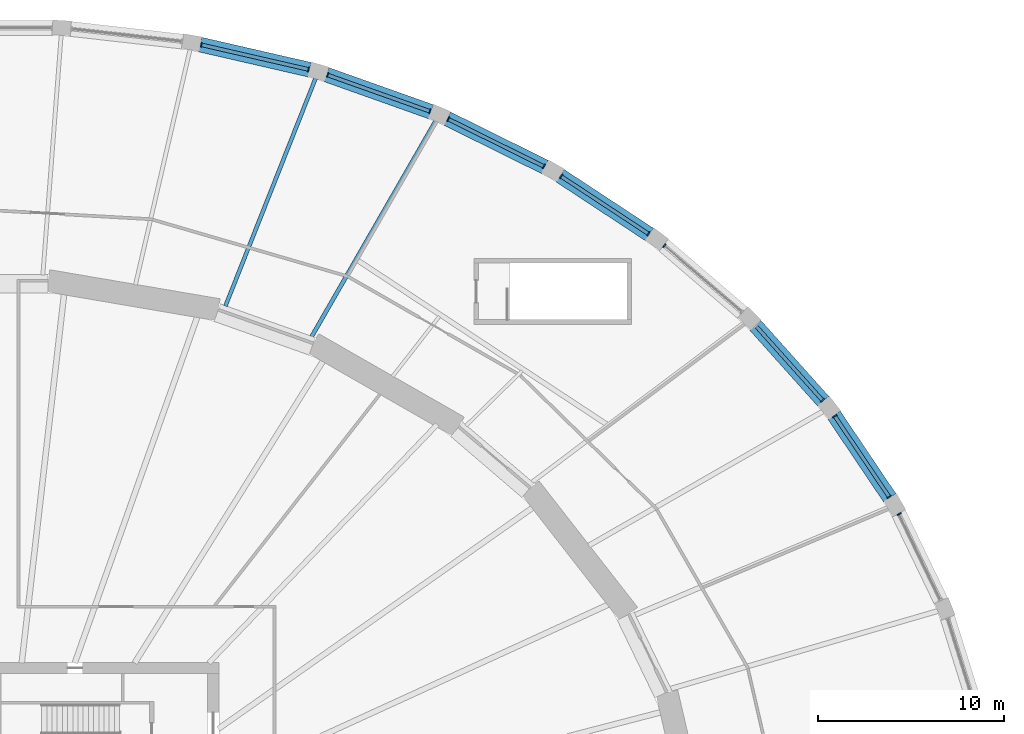
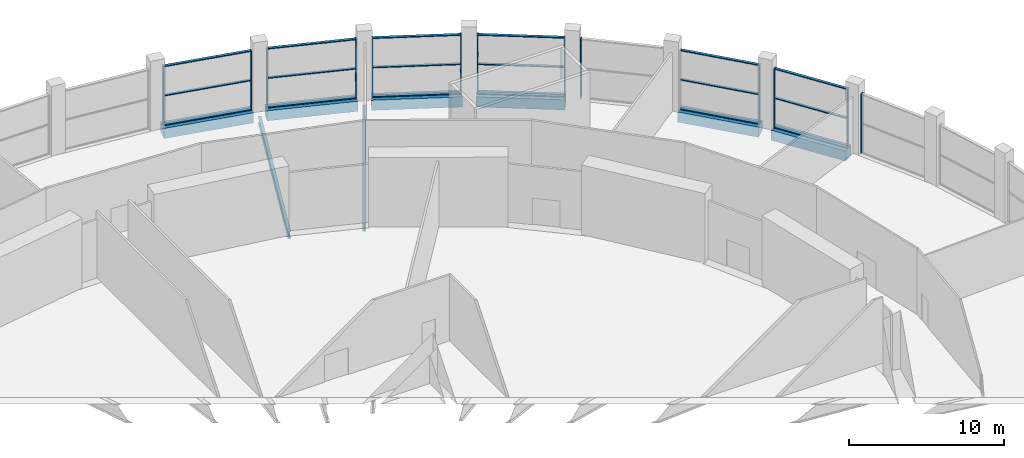
# One storey, part 16 of 26: 31 members, 8 beams, 8 elements without a shape of their own.
"""IFC4 building model written with IfcOpenShell, lengths in metres."""

from ifc_helpers import new_model, si_unit, direction, frame, origin, origin_2d, place, context, subcontext, project, spatial, rectangle, i_section, extrude, material, material_profile, profile_set, type_object, element, aggregate, save


model = new_model("IFC4")

# Units and contexts
model_context = context("Model", 3, precision=1e-05, world=origin(), true_north=direction((0.0, 1.0)))
body_context = subcontext(model_context, "Body", "Model", "MODEL_VIEW")
ifc_project = project(units=[si_unit("LENGTHUNIT", "METRE"), si_unit("AREAUNIT", "SQUARE_METRE"), si_unit("VOLUMEUNIT", "CUBIC_METRE"), si_unit("PLANEANGLEUNIT", "RADIAN"), si_unit("MASSUNIT", "GRAM", prefix="KILO")], contexts=[model_context])

# Site, building, storey
site_placement = place(None, origin())
site = spatial("IfcSite", under=ifc_project, at=site_placement, CompositionType="ELEMENT")
building_placement = place(site_placement, origin())
building = spatial("IfcBuilding", under=site, at=building_placement, Name="Halqa Exchange Tower", CompositionType="ELEMENT")
storey_placement = place(building_placement, frame((0.0, 0.0, 18.0)))
storey = spatial("IfcBuildingStorey", under=building, at=storey_placement, Name="L03", CompositionType="ELEMENT", Elevation=18.0)

# Curtain wall, member
ifc_material_1 = material(Name="Anodised aluminium and clear glass", Category="aluminium")
curtain_wall_type = type_object("IfcCurtainWallType", Name="Exchange hall glazing", PredefinedType="NOTDEFINED", material=ifc_material_1)
curtain_wall_1_placement = place(storey_placement, origin())
curtain_wall_1 = element("IfcCurtainWall", 1, at=curtain_wall_1_placement, inside=storey, type_object=curtain_wall_type, Name="Exchange hall glazing run P3", PredefinedType="NOTDEFINED")
ifc_material_2 = material(Name="Anodised aluminium", Category="aluminium")
ifc_material_profile_1 = material_profile(ifc_material_2, rectangle(XDim=0.25, YDim=0.070068359375, at=origin_2d()), Name="AL 70x250")
ifc_profile_set_1 = profile_set([ifc_material_profile_1], Name="Anodised aluminium")
member_type_1 = type_object("IfcMemberType", Name="Exchange hall glazing mullion 70 x 250", PredefinedType="MULLION", material=ifc_profile_set_1)
member_1_placement = place(storey_placement, frame((48.663818359375, 19.996337890625, 0.0), z_axis=(0.0, 0.0, 1.0), x_axis=(-0.90043534892, -0.434989864727, 0.0)))
member_1 = element("IfcMember", 2, at=member_1_placement, type_object=member_type_1, Name="P3 mullion 2", PredefinedType="MULLION", context=body_context, shape_type="SweptSolid", body=[
    extrude(rectangle(XDim=0.25, YDim=0.070068359375, at=origin_2d()), origin(), (0.0, 0.0, 1.0), 4.699951171875),
])
aggregate(curtain_wall_1, [member_1])

# Curtain wall, members
curtain_wall_2_placement = place(storey_placement, origin())
curtain_wall_2 = element("IfcCurtainWall", 3, at=curtain_wall_2_placement, inside=storey, type_object=curtain_wall_type, Name="Exchange hall glazing run P4", PredefinedType="NOTDEFINED")
member_2_placement = place(storey_placement, frame((48.13232421875, 20.921630859375, 0.0), z_axis=(0.0, 0.0, 1.0), x_axis=(-0.8294895023, -0.55852230535, 0.0)))
member_2 = element("IfcMember", 4, at=member_2_placement, type_object=member_type_1, Name="P4 mullion 1", PredefinedType="MULLION", context=body_context, shape_type="SweptSolid", body=[
    extrude(rectangle(XDim=0.25, YDim=0.070068359375, at=origin_2d()), origin(), (0.0, 0.0, 1.0), 4.699951171875),
])
member_3_placement = place(storey_placement, frame((45.1982421875, 25.279052734375, 0.0), z_axis=(0.0, 0.0, 1.0), x_axis=(-0.8294895023, -0.55852230535, 0.0)))
member_3 = element("IfcMember", 5, at=member_3_placement, type_object=member_type_1, Name="P4 mullion 2", PredefinedType="MULLION", context=body_context, shape_type="SweptSolid", body=[
    extrude(rectangle(XDim=0.25, YDim=0.070068359375, at=origin_2d()), origin(), (0.0, 0.0, 1.0), 4.699951171875),
])

# Curtain wall, member
curtain_wall_3_placement = place(storey_placement, origin())
curtain_wall_3 = element("IfcCurtainWall", 6, at=curtain_wall_3_placement, inside=storey, type_object=curtain_wall_type, Name="Exchange hall glazing run P5", PredefinedType="NOTDEFINED")
member_4_placement = place(storey_placement, frame((44.542724609375, 26.12158203125, 0.0), z_axis=(0.0, 0.0, 1.0), x_axis=(-0.74514769466, -0.666899477539, 0.0)))
member_4 = element("IfcMember", 7, at=member_4_placement, type_object=member_type_1, Name="P5 mullion 1", PredefinedType="MULLION", context=body_context, shape_type="SweptSolid", body=[
    extrude(rectangle(XDim=0.25, YDim=0.070068359375, at=origin_2d()), origin(), (0.0, 0.0, 1.0), 4.699951171875),
])

curtain_wall_4_placement = place(storey_placement, origin())
curtain_wall_4 = element("IfcCurtainWall", 8, at=curtain_wall_4_placement, inside=storey, type_object=curtain_wall_type, Name="Exchange hall glazing run P6", PredefinedType="NOTDEFINED")
member_5_placement = place(storey_placement, frame((36.010986328125, 34.4619140625, 0.0), z_axis=(0.0, 0.0, 1.0), x_axis=(-0.650910929175, -0.759154109704, 0.0)))
member_5 = element("IfcMember", 9, at=member_5_placement, type_object=member_type_1, Name="P6 mullion 2", PredefinedType="MULLION", context=body_context, shape_type="SweptSolid", body=[
    extrude(rectangle(XDim=0.25, YDim=0.070068359375, at=origin_2d()), origin(), (0.0, 0.0, 1.0), 4.699951171875),
])
aggregate(curtain_wall_4, [member_5])

# Curtain wall, members
curtain_wall_5_placement = place(storey_placement, origin())
curtain_wall_5 = element("IfcCurtainWall", 10, at=curtain_wall_5_placement, inside=storey, type_object=curtain_wall_type, Name="Exchange hall glazing run P7", PredefinedType="NOTDEFINED")
member_6_placement = place(storey_placement, frame((35.15771484375, 35.104248046875, 0.0), z_axis=(0.0, 0.0, 1.0), x_axis=(-0.549620040919, -0.835414753652, 0.0)))
member_6 = element("IfcMember", 11, at=member_6_placement, type_object=member_type_1, Name="P7 mullion 1", PredefinedType="MULLION", context=body_context, shape_type="SweptSolid", body=[
    extrude(rectangle(XDim=0.25, YDim=0.070068359375, at=origin_2d()), origin(), (0.0, 0.0, 1.0), 4.699951171875),
])
member_7_placement = place(storey_placement, frame((30.44775390625, 38.202880859375, 0.0), z_axis=(0.0, 0.0, 1.0), x_axis=(-0.549620040919, -0.835414753652, 0.0)))
member_7 = element("IfcMember", 12, at=member_7_placement, type_object=member_type_1, Name="P7 mullion 2", PredefinedType="MULLION", context=body_context, shape_type="SweptSolid", body=[
    extrude(rectangle(XDim=0.25, YDim=0.070068359375, at=origin_2d()), origin(), (0.0, 0.0, 1.0), 4.699951171875),
])

curtain_wall_6_placement = place(storey_placement, origin())
curtain_wall_6 = element("IfcCurtainWall", 13, at=curtain_wall_6_placement, inside=storey, type_object=curtain_wall_type, Name="Exchange hall glazing run P8", PredefinedType="NOTDEFINED")
member_8_placement = place(storey_placement, frame((29.521240234375, 38.734375, 0.0), z_axis=(0.0, 0.0, 1.0), x_axis=(-0.443653417058, -0.896198440934, 0.0)))
member_8 = element("IfcMember", 14, at=member_8_placement, type_object=member_type_1, Name="P8 mullion 1", PredefinedType="MULLION", context=body_context, shape_type="SweptSolid", body=[
    extrude(rectangle(XDim=0.25, YDim=0.070068359375, at=origin_2d()), origin(), (0.0, 0.0, 1.0), 4.699951171875),
])
member_9_placement = place(storey_placement, frame((24.363037109375, 41.287841796875, 0.0), z_axis=(0.0, 0.0, 1.0), x_axis=(-0.443653417058, -0.896198440934, 0.0)))
member_9 = element("IfcMember", 15, at=member_9_placement, type_object=member_type_1, Name="P8 mullion 2", PredefinedType="MULLION", context=body_context, shape_type="SweptSolid", body=[
    extrude(rectangle(XDim=0.25, YDim=0.070068359375, at=origin_2d()), origin(), (0.0, 0.0, 1.0), 4.699951171875),
])

curtain_wall_7_placement = place(storey_placement, origin())
curtain_wall_7 = element("IfcCurtainWall", 16, at=curtain_wall_7_placement, inside=storey, type_object=curtain_wall_type, Name="Exchange hall glazing run P9", PredefinedType="NOTDEFINED")
member_10_placement = place(storey_placement, frame((23.37939453125, 41.7041015625, 0.0), z_axis=(0.0, 0.0, 1.0), x_axis=(-0.334688348326, -0.942328875444, 0.0)))
member_10 = element("IfcMember", 17, at=member_10_placement, type_object=member_type_1, Name="P9 mullion 1", PredefinedType="MULLION", context=body_context, shape_type="SweptSolid", body=[
    extrude(rectangle(XDim=0.25, YDim=0.070068359375, at=origin_2d()), origin(), (0.0, 0.0, 1.0), 4.699951171875),
])
member_11_placement = place(storey_placement, frame((17.86181640625, 43.663818359375, 0.0), z_axis=(0.0, 0.0, 1.0), x_axis=(-0.334688348326, -0.942328875444, 0.0)))
member_11 = element("IfcMember", 18, at=member_11_placement, type_object=member_type_1, Name="P9 mullion 2", PredefinedType="MULLION", context=body_context, shape_type="SweptSolid", body=[
    extrude(rectangle(XDim=0.25, YDim=0.070068359375, at=origin_2d()), origin(), (0.0, 0.0, 1.0), 4.699951171875),
])

curtain_wall_8_placement = place(storey_placement, origin())
curtain_wall_8 = element("IfcCurtainWall", 19, at=curtain_wall_8_placement, inside=storey, type_object=curtain_wall_type, Name="Exchange hall glazing run P10", PredefinedType="NOTDEFINED")
member_12_placement = place(storey_placement, frame((16.836181640625, 43.962646484375, 0.0), z_axis=(0.0, 0.0, 1.0), x_axis=(-0.223896655269, -0.974612891234, 0.0)))
member_12 = element("IfcMember", 20, at=member_12_placement, type_object=member_type_1, Name="P10 mullion 1", PredefinedType="MULLION", context=body_context, shape_type="SweptSolid", body=[
    extrude(rectangle(XDim=0.25, YDim=0.070068359375, at=origin_2d()), origin(), (0.0, 0.0, 1.0), 4.699951171875),
])
member_13_placement = place(storey_placement, frame((11.056396484375, 45.29052734375, 0.0), z_axis=(0.0, 0.0, 1.0), x_axis=(-0.223896655269, -0.974612891234, 0.0)))
member_13 = element("IfcMember", 21, at=member_13_placement, type_object=member_type_1, Name="P10 mullion 2", PredefinedType="MULLION", context=body_context, shape_type="SweptSolid", body=[
    extrude(rectangle(XDim=0.25, YDim=0.070068359375, at=origin_2d()), origin(), (0.0, 0.0, 1.0), 4.699951171875),
])

# Member
ifc_material_profile_2 = material_profile(ifc_material_2, rectangle(XDim=0.199951171875, YDim=0.070068359375, at=origin_2d()), Name="AL 70x200")
ifc_profile_set_2 = profile_set([ifc_material_profile_2], Name="Anodised aluminium")
member_type_2 = type_object("IfcMemberType", Name="Exchange hall glazing transom 70 x 200", PredefinedType="USERDEFINED", material=ifc_profile_set_2)
member_14_placement = place(storey_placement, frame((48.11279296875, 20.95068359375, 0.034912109375), z_axis=(-0.558520359636, 0.82949081241, 0.0), x_axis=(-0.82949081241, -0.558520359636, 0.0)))
member_14 = element("IfcMember", 22, at=member_14_placement, type_object=member_type_2, Name="P4 transom 1.1", ObjectType="TRANSOM", PredefinedType="USERDEFINED", context=body_context, shape_type="SweptSolid", body=[
    extrude(rectangle(XDim=0.199951171875, YDim=0.070068359375, at=origin_2d()), origin(), (0.0, 0.0, 1.0), 5.183349609375),
])

member_15_placement = place(storey_placement, frame((48.11279296875, 20.95068359375, 2.35009765625), z_axis=(-0.558520359636, 0.82949081241, 0.0), x_axis=(-0.82949081241, -0.558520359636, 0.0)))
member_15 = element("IfcMember", 23, at=member_15_placement, type_object=member_type_2, Name="P4 transom 1.2", ObjectType="TRANSOM", PredefinedType="USERDEFINED", context=body_context, shape_type="SweptSolid", body=[
    extrude(rectangle(XDim=0.199951171875, YDim=0.070068359375, at=origin_2d()), origin(), (0.0, 0.0, 1.0), 5.183349609375),
])

member_16_placement = place(storey_placement, frame((48.11279296875, 20.95068359375, 4.6650390625), z_axis=(-0.558520359636, 0.82949081241, 0.0), x_axis=(-0.82949081241, -0.558520359636, 0.0)))
member_16 = element("IfcMember", 24, at=member_16_placement, type_object=member_type_2, Name="P4 transom 1.3", ObjectType="TRANSOM", PredefinedType="USERDEFINED", context=body_context, shape_type="SweptSolid", body=[
    extrude(rectangle(XDim=0.199951171875, YDim=0.070068359375, at=origin_2d()), origin(), (0.0, 0.0, 1.0), 5.183349609375),
])

aggregate(curtain_wall_2, [member_2, member_3, member_14, member_15, member_16])

member_17_placement = place(storey_placement, frame((44.519287109375, 26.147705078125, 0.034912109375), z_axis=(-0.666880900978, 0.745164320074, 0.0), x_axis=(-0.745164320074, -0.666880900978, 0.0)))
member_17 = element("IfcMember", 25, at=member_17_placement, type_object=member_type_2, Name="P5 transom 1.1", ObjectType="TRANSOM", PredefinedType="USERDEFINED", context=body_context, shape_type="SweptSolid", body=[
    extrude(rectangle(XDim=0.199951171875, YDim=0.070068359375, at=origin_2d()), origin(), (0.0, 0.0, 1.0), 5.30810546875),
])

member_18_placement = place(storey_placement, frame((44.519287109375, 26.147705078125, 2.35009765625), z_axis=(-0.666880900978, 0.745164320074, 0.0), x_axis=(-0.745164320074, -0.666880900978, 0.0)))
member_18 = element("IfcMember", 26, at=member_18_placement, type_object=member_type_2, Name="P5 transom 1.2", ObjectType="TRANSOM", PredefinedType="USERDEFINED", context=body_context, shape_type="SweptSolid", body=[
    extrude(rectangle(XDim=0.199951171875, YDim=0.070068359375, at=origin_2d()), origin(), (0.0, 0.0, 1.0), 5.30810546875),
])

member_19_placement = place(storey_placement, frame((44.519287109375, 26.147705078125, 4.6650390625), z_axis=(-0.666880900978, 0.745164320074, 0.0), x_axis=(-0.745164320074, -0.666880900978, 0.0)))
member_19 = element("IfcMember", 27, at=member_19_placement, type_object=member_type_2, Name="P5 transom 1.3", ObjectType="TRANSOM", PredefinedType="USERDEFINED", context=body_context, shape_type="SweptSolid", body=[
    extrude(rectangle(XDim=0.199951171875, YDim=0.070068359375, at=origin_2d()), origin(), (0.0, 0.0, 1.0), 5.30810546875),
])

aggregate(curtain_wall_3, [member_4, member_17, member_18, member_19])

member_20_placement = place(storey_placement, frame((35.12841796875, 35.12353515625, 0.034912109375), z_axis=(-0.835401187087, 0.549640661355, 0.0), x_axis=(-0.549640661355, -0.835401187087, 0.0)))
member_20 = element("IfcMember", 28, at=member_20_placement, type_object=member_type_2, Name="P7 transom 1.1", ObjectType="TRANSOM", PredefinedType="USERDEFINED", context=body_context, shape_type="SweptSolid", body=[
    extrude(rectangle(XDim=0.199951171875, YDim=0.070068359375, at=origin_2d()), origin(), (0.0, 0.0, 1.0), 5.56787109375),
])

member_21_placement = place(storey_placement, frame((35.12841796875, 35.12353515625, 2.35009765625), z_axis=(-0.835401187087, 0.549640661355, 0.0), x_axis=(-0.549640661355, -0.835401187087, 0.0)))
member_21 = element("IfcMember", 29, at=member_21_placement, type_object=member_type_2, Name="P7 transom 1.2", ObjectType="TRANSOM", PredefinedType="USERDEFINED", context=body_context, shape_type="SweptSolid", body=[
    extrude(rectangle(XDim=0.199951171875, YDim=0.070068359375, at=origin_2d()), origin(), (0.0, 0.0, 1.0), 5.56787109375),
])

member_22_placement = place(storey_placement, frame((35.12841796875, 35.12353515625, 4.6650390625), z_axis=(-0.835401187087, 0.549640661355, 0.0), x_axis=(-0.549640661355, -0.835401187087, 0.0)))
member_22 = element("IfcMember", 30, at=member_22_placement, type_object=member_type_2, Name="P7 transom 1.3", ObjectType="TRANSOM", PredefinedType="USERDEFINED", context=body_context, shape_type="SweptSolid", body=[
    extrude(rectangle(XDim=0.199951171875, YDim=0.070068359375, at=origin_2d()), origin(), (0.0, 0.0, 1.0), 5.56787109375),
])

aggregate(curtain_wall_5, [member_6, member_7, member_20, member_21, member_22])

member_23_placement = place(storey_placement, frame((29.489990234375, 38.749755859375, 0.034912109375), z_axis=(-0.89618076134, 0.443689128788, 0.0), x_axis=(-0.443689128788, -0.89618076134, 0.0)))
member_23 = element("IfcMember", 31, at=member_23_placement, type_object=member_type_2, Name="P8 transom 1.1", ObjectType="TRANSOM", PredefinedType="USERDEFINED", context=body_context, shape_type="SweptSolid", body=[
    extrude(rectangle(XDim=0.199951171875, YDim=0.070068359375, at=origin_2d()), origin(), (0.0, 0.0, 1.0), 5.685791015625),
])

member_24_placement = place(storey_placement, frame((29.489990234375, 38.749755859375, 2.35009765625), z_axis=(-0.89618076134, 0.443689128788, 0.0), x_axis=(-0.443689128788, -0.89618076134, 0.0)))
member_24 = element("IfcMember", 32, at=member_24_placement, type_object=member_type_2, Name="P8 transom 1.2", ObjectType="TRANSOM", PredefinedType="USERDEFINED", context=body_context, shape_type="SweptSolid", body=[
    extrude(rectangle(XDim=0.199951171875, YDim=0.070068359375, at=origin_2d()), origin(), (0.0, 0.0, 1.0), 5.685791015625),
])

member_25_placement = place(storey_placement, frame((29.489990234375, 38.749755859375, 4.6650390625), z_axis=(-0.89618076134, 0.443689128788, 0.0), x_axis=(-0.443689128788, -0.89618076134, 0.0)))
member_25 = element("IfcMember", 33, at=member_25_placement, type_object=member_type_2, Name="P8 transom 1.3", ObjectType="TRANSOM", PredefinedType="USERDEFINED", context=body_context, shape_type="SweptSolid", body=[
    extrude(rectangle(XDim=0.199951171875, YDim=0.070068359375, at=origin_2d()), origin(), (0.0, 0.0, 1.0), 5.685791015625),
])

aggregate(curtain_wall_6, [member_8, member_9, member_23, member_24, member_25])

member_26_placement = place(storey_placement, frame((23.346435546875, 41.7158203125, 0.034912109375), z_axis=(-0.942328600126, 0.334689123493, 0.0), x_axis=(-0.334689123493, -0.942328600126, 0.0)))
member_26 = element("IfcMember", 34, at=member_26_placement, type_object=member_type_2, Name="P9 transom 1.1", ObjectType="TRANSOM", PredefinedType="USERDEFINED", context=body_context, shape_type="SweptSolid", body=[
    extrude(rectangle(XDim=0.199951171875, YDim=0.070068359375, at=origin_2d()), origin(), (0.0, 0.0, 1.0), 5.785400390625),
])

member_27_placement = place(storey_placement, frame((23.346435546875, 41.7158203125, 2.35009765625), z_axis=(-0.942328600126, 0.334689123493, 0.0), x_axis=(-0.334689123493, -0.942328600126, 0.0)))
member_27 = element("IfcMember", 35, at=member_27_placement, type_object=member_type_2, Name="P9 transom 1.2", ObjectType="TRANSOM", PredefinedType="USERDEFINED", context=body_context, shape_type="SweptSolid", body=[
    extrude(rectangle(XDim=0.199951171875, YDim=0.070068359375, at=origin_2d()), origin(), (0.0, 0.0, 1.0), 5.785400390625),
])

member_28_placement = place(storey_placement, frame((23.346435546875, 41.7158203125, 4.6650390625), z_axis=(-0.942328600126, 0.334689123493, 0.0), x_axis=(-0.334689123493, -0.942328600126, 0.0)))
member_28 = element("IfcMember", 36, at=member_28_placement, type_object=member_type_2, Name="P9 transom 1.3", ObjectType="TRANSOM", PredefinedType="USERDEFINED", context=body_context, shape_type="SweptSolid", body=[
    extrude(rectangle(XDim=0.199951171875, YDim=0.070068359375, at=origin_2d()), origin(), (0.0, 0.0, 1.0), 5.785400390625),
])

aggregate(curtain_wall_7, [member_10, member_11, member_26, member_27, member_28])

member_29_placement = place(storey_placement, frame((16.80224609375, 43.970458984375, 0.034912109375), z_axis=(-0.974610483498, 0.223907135784, 0.0), x_axis=(-0.223907135784, -0.974610483498, 0.0)))
member_29 = element("IfcMember", 37, at=member_29_placement, type_object=member_type_2, Name="P10 transom 1.1", ObjectType="TRANSOM", PredefinedType="USERDEFINED", context=body_context, shape_type="SweptSolid", body=[
    extrude(rectangle(XDim=0.199951171875, YDim=0.070068359375, at=origin_2d()), origin(), (0.0, 0.0, 1.0), 5.860595703125),
])

member_30_placement = place(storey_placement, frame((16.80224609375, 43.970458984375, 2.35009765625), z_axis=(-0.974610483498, 0.223907135784, 0.0), x_axis=(-0.223907135784, -0.974610483498, 0.0)))
member_30 = element("IfcMember", 38, at=member_30_placement, type_object=member_type_2, Name="P10 transom 1.2", ObjectType="TRANSOM", PredefinedType="USERDEFINED", context=body_context, shape_type="SweptSolid", body=[
    extrude(rectangle(XDim=0.199951171875, YDim=0.070068359375, at=origin_2d()), origin(), (0.0, 0.0, 1.0), 5.860595703125),
])

member_31_placement = place(storey_placement, frame((16.80224609375, 43.970458984375, 4.6650390625), z_axis=(-0.974610483498, 0.223907135784, 0.0), x_axis=(-0.223907135784, -0.974610483498, 0.0)))
member_31 = element("IfcMember", 39, at=member_31_placement, type_object=member_type_2, Name="P10 transom 1.3", ObjectType="TRANSOM", PredefinedType="USERDEFINED", context=body_context, shape_type="SweptSolid", body=[
    extrude(rectangle(XDim=0.199951171875, YDim=0.070068359375, at=origin_2d()), origin(), (0.0, 0.0, 1.0), 5.860595703125),
])

aggregate(curtain_wall_8, [member_12, member_13, member_29, member_30, member_31])

# Beams
ifc_material_3 = material(Name="Steel S355", Category="steel")
ifc_material_profile_3 = material_profile(ifc_material_3, i_section(OverallWidth=0.2099609375, OverallDepth=0.550048828125, WebThickness=0.010986328125, FlangeThickness=0.01708984375, FilletRadius=0.02392578125, at=origin_2d()), Name="IPE 550")
ifc_profile_set_3 = profile_set([ifc_material_profile_3], Name="Steel S355")
beam_type_1 = type_object("IfcBeamType", Name="Floor beam IPE 550", PredefinedType="BEAM", material=ifc_profile_set_3)
beam_1_placement = place(storey_placement, frame((12.352294921875, 31.2001953125, -0.625), z_axis=(0.368106640822, 0.929783577497, 0.0), x_axis=(-0.929783577497, 0.368106640822, 0.0)))
element("IfcBeam", 40, at=beam_1_placement, inside=storey, type_object=beam_type_1, Name="Radial beam 10", PredefinedType="BEAM", context=body_context, shape_type="SweptSolid", body=[
    extrude(i_section(OverallWidth=0.2099609375, OverallDepth=0.550048828125, WebThickness=0.010986328125, FlangeThickness=0.01708984375, FilletRadius=0.02392578125, at=origin_2d()), origin(), (0.0, 0.0, 1.0), 13.22412109375),
])
ifc_material_profile_4 = material_profile(ifc_material_3, i_section(OverallWidth=0.219970703125, OverallDepth=0.60009765625, WebThickness=0.011962890625, FlangeThickness=0.01904296875, FilletRadius=0.02392578125, at=origin_2d()), Name="IPE 600")
ifc_profile_set_4 = profile_set([ifc_material_profile_4], Name="Steel S355")
beam_type_2 = type_object("IfcBeamType", Name="Floor beam IPE 600", PredefinedType="BEAM", material=ifc_profile_set_4)
beam_2_placement = place(storey_placement, frame((16.996826171875, 29.551513671875, -0.64990234375), z_axis=(0.498570786865, 0.866848989435, 0.0), x_axis=(-0.866848989435, 0.498570786865, 0.0)))
element("IfcBeam", 41, at=beam_2_placement, inside=storey, type_object=beam_type_2, Name="Radial beam 9", PredefinedType="BEAM", context=body_context, shape_type="SweptSolid", body=[
    extrude(i_section(OverallWidth=0.219970703125, OverallDepth=0.60009765625, WebThickness=0.011962890625, FlangeThickness=0.01904296875, FilletRadius=0.02392578125, at=origin_2d()), origin(), (0.0, 0.0, 1.0), 13.438720703125),
])
ifc_material_4 = material(Name="Concrete C60/75", Category="concrete")
ifc_material_profile_5 = material_profile(ifc_material_4, rectangle(XDim=0.800048828125, YDim=0.800048828125, at=origin_2d()), Name="800 x 800")
ifc_profile_set_5 = profile_set([ifc_material_profile_5], Name="Concrete C60/75")
beam_type_3 = type_object("IfcBeamType", Name="RC podium edge beam 800 x 800 C60/75", PredefinedType="SPANDREL", material=ifc_profile_set_5)
beam_3_placement = place(storey_placement, frame((48.1669921875, 20.8701171875, -0.39990234375), z_axis=(-0.558528358221, 0.829485426673, 0.0), x_axis=(-0.829485426673, -0.558528358221, 0.0)))
element("IfcBeam", 42, at=beam_3_placement, inside=storey, type_object=beam_type_3, Name="Podium edge beam 4", PredefinedType="SPANDREL", context=body_context, shape_type="SweptSolid", body=[
    extrude(rectangle(XDim=0.800048828125, YDim=0.800048828125, at=origin_2d()), origin(), (0.0, 0.0, 1.0), 5.378173828125),
])
beam_4_placement = place(storey_placement, frame((44.58349609375, 26.075927734375, -0.39990234375), z_axis=(-0.666902525907, 0.745144966392, 0.0), x_axis=(-0.745144966392, -0.666902525907, 0.0)))
element("IfcBeam", 43, at=beam_4_placement, inside=storey, type_object=beam_type_3, Name="Podium edge beam 5", PredefinedType="SPANDREL", context=body_context, shape_type="SweptSolid", body=[
    extrude(rectangle(XDim=0.800048828125, YDim=0.800048828125, at=origin_2d()), origin(), (0.0, 0.0, 1.0), 5.501220703125),
])
beam_5_placement = place(storey_placement, frame((35.208984375, 35.070556640625, -0.39990234375), z_axis=(-0.835418618456, 0.549614166426, 0.0), x_axis=(-0.549614166426, -0.835418618456, 0.0)))
element("IfcBeam", 44, at=beam_5_placement, inside=storey, type_object=beam_type_3, Name="Podium edge beam 7", PredefinedType="SPANDREL", context=body_context, shape_type="SweptSolid", body=[
    extrude(rectangle(XDim=0.800048828125, YDim=0.800048828125, at=origin_2d()), origin(), (0.0, 0.0, 1.0), 5.760986328125),
])
beam_6_placement = place(storey_placement, frame((29.576904296875, 38.706787109375, -0.39990234375), z_axis=(-0.896205416004, 0.443639326847, 0.0), x_axis=(-0.443639326847, -0.896205416004, 0.0)))
element("IfcBeam", 45, at=beam_6_placement, inside=storey, type_object=beam_type_3, Name="Podium edge beam 8", PredefinedType="SPANDREL", context=body_context, shape_type="SweptSolid", body=[
    extrude(rectangle(XDim=0.800048828125, YDim=0.800048828125, at=origin_2d()), origin(), (0.0, 0.0, 1.0), 5.880126953125),
])
beam_7_placement = place(storey_placement, frame((23.4384765625, 41.683349609375, -0.39990234375), z_axis=(-0.942343471221, 0.334647250469, 0.0), x_axis=(-0.334647250469, -0.942343471221, 0.0)))
element("IfcBeam", 46, at=beam_7_placement, inside=storey, type_object=beam_type_3, Name="Podium edge beam 9", PredefinedType="SPANDREL", context=body_context, shape_type="SweptSolid", body=[
    extrude(rectangle(XDim=0.800048828125, YDim=0.800048828125, at=origin_2d()), origin(), (0.0, 0.0, 1.0), 5.980712890625),
])
beam_8_placement = place(storey_placement, frame((16.89794921875, 43.948486328125, -0.39990234375), z_axis=(-0.974604133477, 0.223934774008, 0.0), x_axis=(-0.223934774008, -0.974604133477, 0.0)))
element("IfcBeam", 47, at=beam_8_placement, inside=storey, type_object=beam_type_3, Name="Podium edge beam 10", PredefinedType="SPANDREL", context=body_context, shape_type="SweptSolid", body=[
    extrude(rectangle(XDim=0.800048828125, YDim=0.800048828125, at=origin_2d()), origin(), (0.0, 0.0, 1.0), 6.05517578125),
])

save(model, "model.ifc")
